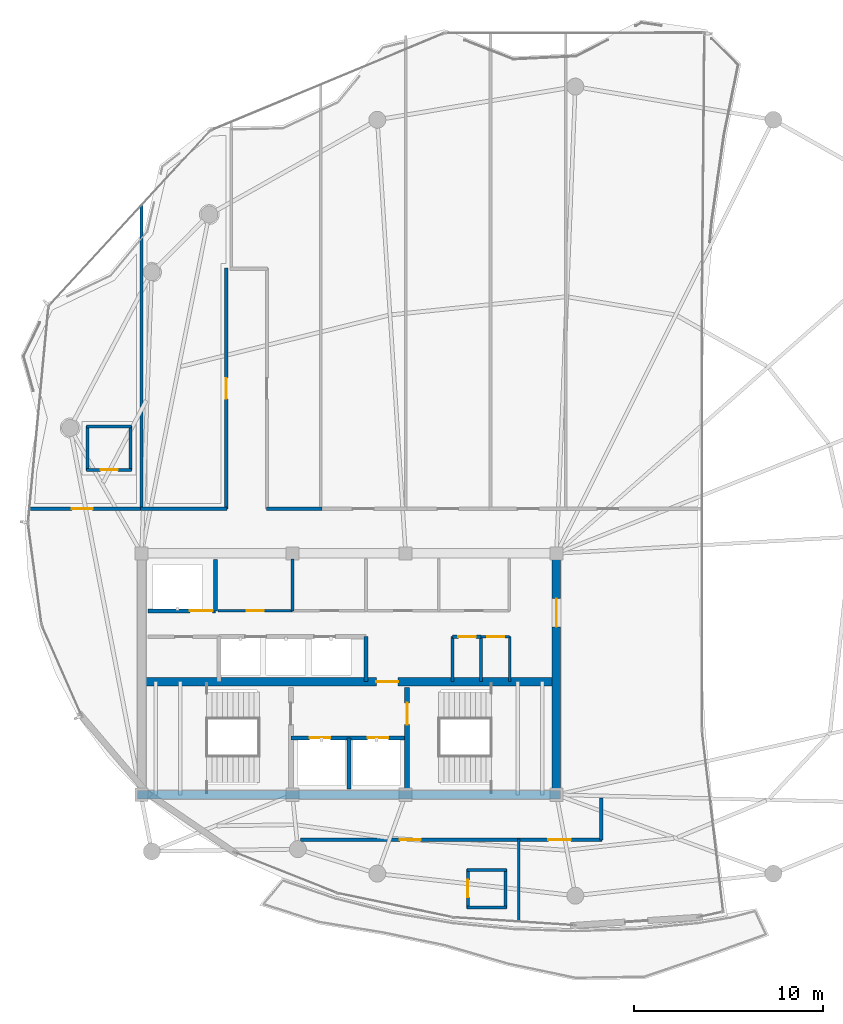
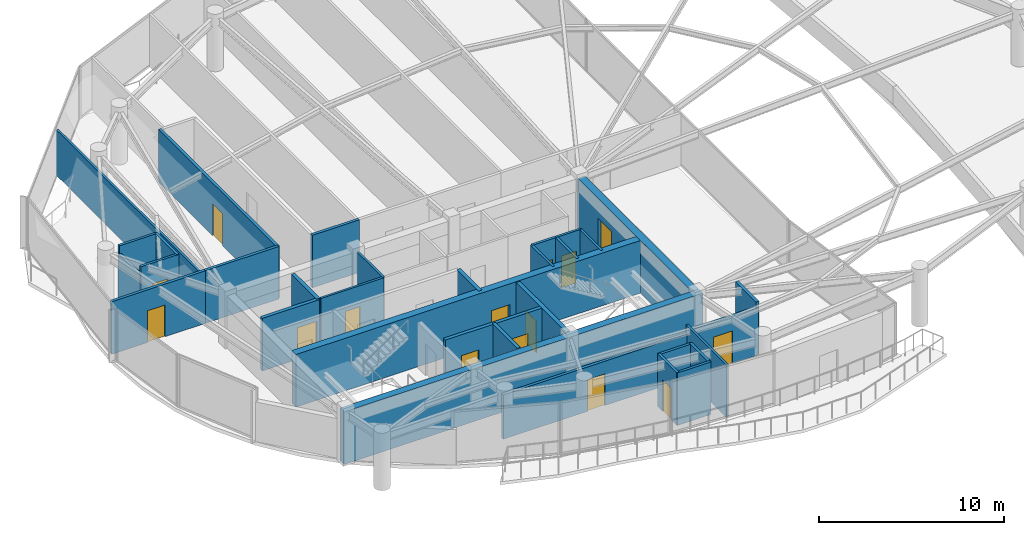
# One storey, part 18 of 22: 33 walls, 15 doors, 15 openings.
"""IFC4 building model written with IfcOpenShell, lengths in metres."""

from ifc_helpers import new_model, si_unit, direction, frame, frame_2d, origin, place, context, subcontext, project, spatial, rectangle, extrude, material, layer, layer_set, type_object, element, fill, save


model = new_model("IFC4")

# Units and contexts
model_context = context("Model", 3, precision=1e-05, world=origin(), true_north=direction((0.0, 1.0)))
body_context = subcontext(model_context, "Body", "Model", "MODEL_VIEW")
ifc_project = project(units=[si_unit("LENGTHUNIT", "METRE"), si_unit("AREAUNIT", "SQUARE_METRE"), si_unit("VOLUMEUNIT", "CUBIC_METRE"), si_unit("PLANEANGLEUNIT", "RADIAN"), si_unit("MASSUNIT", "GRAM", prefix="KILO")], contexts=[model_context])

# Site, building, storey
site_placement = place(None, origin())
site = spatial("IfcSite", under=ifc_project, at=site_placement, CompositionType="ELEMENT")
building_placement = place(site_placement, origin())
building = spatial("IfcBuilding", under=site, at=building_placement, Name="Kazevale Care Tower and Concert Hall", CompositionType="ELEMENT")
storey_placement = place(building_placement, frame((0.0, 0.0, 277.60009765625)))
storey = spatial("IfcBuildingStorey", under=building, at=storey_placement, Name="L73", CompositionType="ELEMENT", Elevation=277.60009765625)

# Wall, opening, door
ifc_material_1 = material(Name="Acoustic Gypsum on Steel Stud", Category="steel")
ifc_layer_1 = layer(ifc_material_1, 0.139892578125)
ifc_layer_set_1 = layer_set([ifc_layer_1], Name="Acoustic Gypsum on Steel Stud")
wall_type_1 = type_object("IfcWallType", Name="Acoustic Care & Suite Partition 140", PredefinedType="PARTITIONING", material=ifc_layer_set_1)
wall_1_placement = place(storey_placement, frame((26.050048828125, 33.35009765625, 0.0), z_axis=(0.0, 0.0, 1.0), x_axis=(1.0, 0.0, 0.0)))
wall_1 = element("IfcWall", 1, at=wall_1_placement, inside=storey, type_object=wall_type_1, Name="wall:L73:c_rpl1_s", PredefinedType="PARTITIONING", context=body_context, shape_type="SweptSolid", body=[
    extrude(rectangle(XDim=3.949951171875, YDim=0.139892578125, at=frame_2d((1.97509765625, 0.0))), origin(), (0.0, 0.0, 1.0), 3.47998046875),
])
opening_1_placement = place(wall_1_placement, frame((1.514892578125, 0.0, 0.0)))
opening_1 = element("IfcOpeningElement", 2, at=opening_1_placement, cuts=wall_1, Name="Opening ID-900", PredefinedType="OPENING", context=body_context, shape_type="SweptSolid", body=[
    extrude(rectangle(XDim=0.919921875, YDim=2.10009765625, at=frame_2d((0.4599609375, 1.050048828125))), frame((0.0, 0.079833984375, 0.0), z_axis=(0.0, -1.0, 0.0), x_axis=(1.0, 0.0, 0.0)), (0.0, 0.0, 1.0), 0.159912109375),
])
ifc_material_2 = material(Name="Oak Timber Fire Leaf", Category="wood")
door_type_1 = type_object("IfcDoorType", Name="Bathroom & Service Door 920x2100", OperationType="NOTDEFINED", PredefinedType="DOOR", material=ifc_material_2)
door_1_placement = place(opening_1_placement, origin())
door_1 = element("IfcDoor", 3, at=door_1_placement, inside=storey, type_object=door_type_1, Name="door:L73:d_rpl1", OperationType="SINGLE_SWING_LEFT", OverallHeight=2.10009765625, OverallWidth=0.919921875, PredefinedType="DOOR", context=body_context, shape_type="SweptSolid", body=[
    extrude(rectangle(XDim=0.919921875, YDim=2.10009765625, at=frame_2d((0.4599609375, 1.050048828125))), frame((0.0, 0.02490234375, 0.0), z_axis=(0.0, -1.0, 0.0), x_axis=(1.0, 0.0, 0.0)), (0.0, 0.0, 1.0), 0.050048828125),
])
fill(opening_1, door_1)

# Walls
wall_2_placement = place(storey_placement, frame((30.0, 33.35009765625, 0.0), z_axis=(0.0, 0.0, 1.0), x_axis=(0.0, 1.0, 0.0)))
element("IfcWall", 4, at=wall_2_placement, inside=storey, type_object=wall_type_1, Name="wall:L73:c_rpl_m", PredefinedType="PARTITIONING", context=body_context, shape_type="SweptSolid", body=[
    extrude(rectangle(XDim=2.75, YDim=0.139892578125, at=frame_2d((1.375, 0.0))), origin(), (0.0, 0.0, 1.0), 3.47998046875),
])
wall_3_placement = place(storey_placement, frame((41.52001953125, 29.6201171875, 0.0), z_axis=(0.0, 0.0, 1.0), x_axis=(0.0, 1.0, 0.0)))
element("IfcWall", 5, at=wall_3_placement, inside=storey, type_object=wall_type_1, Name="wall:L73:ka_ee", PredefinedType="PARTITIONING", context=body_context, shape_type="SweptSolid", body=[
    extrude(rectangle(XDim=2.35986328125, YDim=0.139892578125, at=frame_2d((1.179931640625, 0.0))), origin(), (0.0, 0.0, 1.0), 3.47998046875),
])

# Wall, opening, door
wall_4_placement = place(storey_placement, frame((40.0, 31.97998046875, 0.0), z_axis=(0.0, 0.0, 1.0), x_axis=(1.0, 0.0, 0.0)))
wall_4 = element("IfcWall", 6, at=wall_4_placement, inside=storey, type_object=wall_type_1, Name="wall:L73:ka_en2", PredefinedType="PARTITIONING", context=body_context, shape_type="SweptSolid", body=[
    extrude(rectangle(XDim=1.52001953125, YDim=0.139892578125, at=frame_2d((0.760009765625, 0.0))), origin(), (0.0, 0.0, 1.0), 3.47998046875),
])
opening_2_placement = place(wall_4_placement, frame((0.320068359375, 0.0, 0.0)))
opening_2 = element("IfcOpeningElement", 7, at=opening_2_placement, cuts=wall_4, Name="Opening ID-900", PredefinedType="OPENING", context=body_context, shape_type="SweptSolid", body=[
    extrude(rectangle(XDim=0.919921875, YDim=2.10009765625, at=frame_2d((0.4599609375, 1.050048828125))), frame((0.0, 0.079833984375, 0.0), z_axis=(0.0, -1.0, 0.0), x_axis=(1.0, 0.0, 0.0)), (0.0, 0.0, 1.0), 0.159912109375),
])
door_2_placement = place(opening_2_placement, origin())
door_2 = element("IfcDoor", 8, at=door_2_placement, inside=storey, type_object=door_type_1, Name="door:L73:d_kae2", OperationType="SINGLE_SWING_RIGHT", OverallHeight=2.10009765625, OverallWidth=0.919921875, PredefinedType="DOOR", context=body_context, shape_type="SweptSolid", body=[
    extrude(rectangle(XDim=0.919921875, YDim=2.10009765625, at=frame_2d((0.4599609375, 1.050048828125))), frame((0.0, 0.02490234375, 0.0), z_axis=(0.0, -1.0, 0.0), x_axis=(1.0, 0.0, 0.0)), (0.0, 0.0, 1.0), 0.050048828125),
])
fill(opening_2, door_2)

# Walls
wall_5_placement = place(storey_placement, frame((22.0, 54.853759765625, 0.0), z_axis=(0.0, 0.0, 1.0), x_axis=(0.0, -1.0, 0.0)))
element("IfcWall", 9, at=wall_5_placement, inside=storey, type_object=wall_type_1, Name="wall:L73:auto_014", PredefinedType="PARTITIONING", context=body_context, shape_type="SweptSolid", body=[
    extrude(rectangle(XDim=16.108642578125, YDim=0.139892578125, at=frame_2d((8.05419921875, 0.0))), origin(), (0.0, 0.0, 1.0), 3.010009765625),
])
wall_6_placement = place(storey_placement, frame((42.0, 21.2548828125, 0.0), z_axis=(0.0, 0.0, 1.0), x_axis=(0.0, -1.0, 0.0)))
element("IfcWall", 10, at=wall_6_placement, inside=storey, type_object=wall_type_1, Name="wall:L73:auto_020", PredefinedType="PARTITIONING", context=body_context, shape_type="SweptSolid", body=[
    extrude(rectangle(XDim=4.369384765625, YDim=0.139892578125, at=frame_2d((2.1845703125, 0.0))), origin(), (0.0, 0.0, 1.0), 3.47998046875),
])
ifc_material_3 = material(Name="Concrete C50", Category="concrete")
ifc_layer_2 = layer(ifc_material_3, 0.449951171875)
ifc_layer_set_2 = layer_set([ifc_layer_2], Name="Concrete C50")
wall_type_2 = type_object("IfcWallType", Name="Core Shear Wall 450 C50", PredefinedType="SHEAR", material=ifc_layer_set_2)
wall_7_placement = place(storey_placement, frame((21.77490234375, 23.60009765625, 0.0), z_axis=(0.0, 0.0, 1.0), x_axis=(1.0, 0.0, 0.0)))
element("IfcWall", 11, at=wall_7_placement, inside=storey, type_object=wall_type_2, Name="wall:L73:core:S", PredefinedType="SHEAR", context=body_context, shape_type="SweptSolid", body=[
    extrude(rectangle(XDim=22.4501953125, YDim=0.449951171875, at=frame_2d((11.22509765625, 0.0))), origin(), (0.0, 0.0, 1.0), 3.47998046875),
])

# Wall, opening, door
wall_8_placement = place(storey_placement, frame((44.0, 23.824951171875, 0.0), z_axis=(0.0, 0.0, 1.0), x_axis=(0.0, 1.0, 0.0)))
wall_8 = element("IfcWall", 12, at=wall_8_placement, inside=storey, type_object=wall_type_2, Name="wall:L73:core:E", PredefinedType="SHEAR", context=body_context, shape_type="SweptSolid", body=[
    extrude(rectangle(XDim=12.35009765625, YDim=0.449951171875, at=frame_2d((6.175048828125, 0.0))), origin(), (0.0, 0.0, 1.0), 3.47998046875),
])
opening_3_placement = place(wall_8_placement, frame((8.675048828125, 0.0, 0.0)))
opening_3 = element("IfcOpeningElement", 13, at=opening_3_placement, cuts=wall_8, Name="Opening FD-60D", PredefinedType="OPENING", context=body_context, shape_type="SweptSolid", body=[
    extrude(rectangle(XDim=1.5, YDim=2.14990234375, at=frame_2d((0.75, 1.074951171875))), frame((0.0, 0.23486328125, 0.0), z_axis=(0.0, -1.0, 0.0), x_axis=(1.0, 0.0, 0.0)), (0.0, 0.0, 1.0), 0.469970703125),
])
door_type_2 = type_object("IfcDoorType", Name="Double Lobby & Auditorium Fire Door 1500x2150", OperationType="NOTDEFINED", PredefinedType="DOOR", material=ifc_material_2)
door_3_placement = place(opening_3_placement, origin())
door_3 = element("IfcDoor", 14, at=door_3_placement, inside=storey, type_object=door_type_2, Name="door:L73:core_east_out", OperationType="DOUBLE_DOOR_SINGLE_SWING", OverallHeight=2.14990234375, OverallWidth=1.5, PredefinedType="DOOR", context=body_context, shape_type="SweptSolid", body=[
    extrude(rectangle(XDim=1.5, YDim=2.14990234375, at=frame_2d((0.75, 1.074951171875))), frame((0.0, 0.02490234375, 0.0), z_axis=(0.0, -1.0, 0.0), x_axis=(1.0, 0.0, 0.0)), (0.0, 0.0, 1.0), 0.050048828125),
])
fill(opening_3, door_3)

wall_9_placement = place(storey_placement, frame((22.22509765625, 29.60009765625, 0.0), z_axis=(0.0, 0.0, 1.0), x_axis=(1.0, 0.0, 0.0)))
wall_9 = element("IfcWall", 15, at=wall_9_placement, inside=storey, type_object=wall_type_2, Name="wall:L73:core:M", PredefinedType="SHEAR", context=body_context, shape_type="SweptSolid", body=[
    extrude(rectangle(XDim=21.5498046875, YDim=0.449951171875, at=frame_2d((10.77490234375, 0.0))), origin(), (0.0, 0.0, 1.0), 3.47998046875),
])
opening_4_placement = place(wall_9_placement, frame((12.22509765625, 0.0, 0.0)))
opening_4 = element("IfcOpeningElement", 16, at=opening_4_placement, cuts=wall_9, Name="Opening FD-90", PredefinedType="OPENING", context=body_context, shape_type="SweptSolid", body=[
    extrude(rectangle(XDim=1.14990234375, YDim=2.10009765625, at=frame_2d((0.574951171875, 1.050048828125))), frame((0.0, 0.23486328125, 0.0), z_axis=(0.0, -1.0, 0.0), x_axis=(1.0, 0.0, 0.0)), (0.0, 0.0, 1.0), 0.469970703125),
])
ifc_material_4 = material(Name="Steel ASTM A572 Gr 50", Category="steel")
door_type_3 = type_object("IfcDoorType", Name="Pressurized Stair & Lobby Fire Door 1150x2100", OperationType="NOTDEFINED", PredefinedType="DOOR", material=ifc_material_4)
door_4_placement = place(opening_4_placement, origin())
door_4 = element("IfcDoor", 17, at=door_4_placement, inside=storey, type_object=door_type_3, Name="door:L73:ff_to_pax", OperationType="SINGLE_SWING_LEFT", OverallHeight=2.10009765625, OverallWidth=1.14990234375, PredefinedType="DOOR", context=body_context, shape_type="SweptSolid", body=[
    extrude(rectangle(XDim=1.14990234375, YDim=2.10009765625, at=frame_2d((0.574951171875, 1.050048828125))), frame((0.0, 0.02490234375, 0.0), z_axis=(0.0, -1.0, 0.0), x_axis=(1.0, 0.0, 0.0)), (0.0, 0.0, 1.0), 0.050048828125),
])
fill(opening_4, door_4)

# Wall, openings, doors
ifc_material_5 = material(Name="Concrete C40", Category="concrete")
ifc_layer_3 = layer(ifc_material_5, 0.219970703125)
ifc_layer_set_3 = layer_set([ifc_layer_3], Name="Concrete C40")
wall_type_3 = type_object("IfcWallType", Name="Elevator Hoistway Shaft Wall 220", PredefinedType="SOLIDWALL", material=ifc_layer_set_3)
wall_10_placement = place(storey_placement, frame((29.919921875, 26.6201171875, 0.0), z_axis=(0.0, 0.0, 1.0), x_axis=(1.0, 0.0, 0.0)))
wall_10 = element("IfcWall", 18, at=wall_10_placement, inside=storey, type_object=wall_type_3, Name="wall:L73:c_ffl_n", PredefinedType="SOLIDWALL", context=body_context, shape_type="SweptSolid", body=[
    extrude(rectangle(XDim=6.16015625, YDim=0.219970703125, at=frame_2d((3.080078125, 0.0))), origin(), (0.0, 0.0, 1.0), 3.47998046875),
])
opening_5_placement = place(wall_10_placement, frame((0.989990234375, 0.0, 0.0)))
opening_5 = element("IfcOpeningElement", 19, at=opening_5_placement, cuts=wall_10, Name="Opening LD-FF", PredefinedType="OPENING", context=body_context, shape_type="SweptSolid", body=[
    extrude(rectangle(XDim=1.10009765625, YDim=2.10009765625, at=frame_2d((0.550048828125, 1.050048828125))), frame((0.0, 0.119873046875, 0.0), z_axis=(0.0, -1.0, 0.0), x_axis=(1.0, 0.0, 0.0)), (0.0, 0.0, 1.0), 0.239990234375),
])
opening_6_placement = place(wall_10_placement, frame((4.070068359375, 0.0, 0.0)))
opening_6 = element("IfcOpeningElement", 20, at=opening_6_placement, cuts=wall_10, Name="Opening LD-FF", PredefinedType="OPENING", context=body_context, shape_type="SweptSolid", body=[
    extrude(rectangle(XDim=1.10009765625, YDim=2.10009765625, at=frame_2d((0.550048828125, 1.050048828125))), frame((0.0, 0.119873046875, 0.0), z_axis=(0.0, -1.0, 0.0), x_axis=(1.0, 0.0, 0.0)), (0.0, 0.0, 1.0), 0.239990234375),
])
ifc_material_6 = material(Name="Stainless Steel 316", Category="steel")
door_type_4 = type_object("IfcDoorType", Name="Emergency Lift Sliding Landing Door 1100x2100", OperationType="NOTDEFINED", PredefinedType="DOOR", material=ifc_material_6)
door_5_placement = place(opening_5_placement, origin())
door_5 = element("IfcDoor", 21, at=door_5_placement, inside=storey, type_object=door_type_4, Name="door:L73:ld_ffl1", OperationType="SLIDING_TO_LEFT", OverallHeight=2.10009765625, OverallWidth=1.10009765625, PredefinedType="DOOR", context=body_context, shape_type="SweptSolid", body=[
    extrude(rectangle(XDim=1.10009765625, YDim=2.10009765625, at=frame_2d((0.550048828125, 1.050048828125))), frame((0.0, 0.02490234375, 0.0), z_axis=(0.0, -1.0, 0.0), x_axis=(1.0, 0.0, 0.0)), (0.0, 0.0, 1.0), 0.050048828125),
])
fill(opening_5, door_5)
door_6_placement = place(opening_6_placement, origin())
door_6 = element("IfcDoor", 22, at=door_6_placement, inside=storey, type_object=door_type_4, Name="door:L73:ld_ffl2", OperationType="SLIDING_TO_RIGHT", OverallHeight=2.10009765625, OverallWidth=1.10009765625, PredefinedType="DOOR", context=body_context, shape_type="SweptSolid", body=[
    extrude(rectangle(XDim=1.10009765625, YDim=2.10009765625, at=frame_2d((0.550048828125, 1.050048828125))), frame((0.0, 0.02490234375, 0.0), z_axis=(0.0, -1.0, 0.0), x_axis=(1.0, 0.0, 0.0)), (0.0, 0.0, 1.0), 0.050048828125),
])
fill(opening_6, door_6)

# Walls
wall_11_placement = place(storey_placement, frame((33.0, 23.89990234375, 0.0), z_axis=(0.0, 0.0, 1.0), x_axis=(0.0, 1.0, 0.0)))
element("IfcWall", 23, at=wall_11_placement, inside=storey, type_object=wall_type_3, Name="wall:L73:c_ffl_m", PredefinedType="SOLIDWALL", context=body_context, shape_type="SweptSolid", body=[
    extrude(rectangle(XDim=2.72021484375, YDim=0.219970703125, at=frame_2d((1.360107421875, 0.0))), origin(), (0.0, 0.0, 1.0), 3.47998046875),
])
wall_12_placement = place(storey_placement, frame((25.919921875, 33.35009765625, 0.0), z_axis=(0.0, 0.0, 1.0), x_axis=(0.0, 1.0, 0.0)))
element("IfcWall", 24, at=wall_12_placement, inside=storey, type_object=wall_type_3, Name="wall:L73:c_svl_e", PredefinedType="SOLIDWALL", context=body_context, shape_type="SweptSolid", body=[
    extrude(rectangle(XDim=2.72998046875, YDim=0.219970703125, at=frame_2d((1.364990234375, 0.0))), origin(), (0.0, 0.0, 1.0), 3.47998046875),
])

# Wall, opening, door
wall_13_placement = place(storey_placement, frame((22.35009765625, 33.35009765625, 0.0), z_axis=(0.0, 0.0, 1.0), x_axis=(1.0, 0.0, 0.0)))
wall_13 = element("IfcWall", 25, at=wall_13_placement, inside=storey, type_object=wall_type_3, Name="wall:L73:c_svl_s", PredefinedType="SOLIDWALL", context=body_context, shape_type="SweptSolid", body=[
    extrude(rectangle(XDim=3.56982421875, YDim=0.219970703125, at=frame_2d((1.784912109375, 0.0))), origin(), (0.0, 0.0, 1.0), 3.47998046875),
])
opening_7_placement = place(wall_13_placement, frame((2.212890625, 0.0, 0.0)))
opening_7 = element("IfcOpeningElement", 26, at=opening_7_placement, cuts=wall_13, Name="Opening LD-SV", PredefinedType="OPENING", context=body_context, shape_type="SweptSolid", body=[
    extrude(rectangle(XDim=1.199951171875, YDim=2.10009765625, at=frame_2d((0.60009765625, 1.050048828125))), frame((0.0, 0.119873046875, 0.0), z_axis=(0.0, -1.0, 0.0), x_axis=(1.0, 0.0, 0.0)), (0.0, 0.0, 1.0), 0.239990234375),
])
door_type_5 = type_object("IfcDoorType", Name="Service Lift Sliding Landing Door 1200x2100", OperationType="NOTDEFINED", PredefinedType="DOOR", material=ifc_material_6)
door_7_placement = place(opening_7_placement, origin())
door_7 = element("IfcDoor", 27, at=door_7_placement, inside=storey, type_object=door_type_5, Name="door:L73:ld_svl1", OperationType="SLIDING_TO_LEFT", OverallHeight=2.10009765625, OverallWidth=1.199951171875, PredefinedType="DOOR", context=body_context, shape_type="SweptSolid", body=[
    extrude(rectangle(XDim=1.199951171875, YDim=2.10009765625, at=frame_2d((0.60009765625, 1.050048828125))), frame((0.0, 0.02490234375, 0.0), z_axis=(0.0, -1.0, 0.0), x_axis=(1.0, 0.0, 0.0)), (0.0, 0.0, 1.0), 0.050048828125),
])
fill(opening_7, door_7)

# Wall
wall_14_placement = place(storey_placement, frame((33.89990234375, 29.6201171875, 0.0), z_axis=(0.0, 0.0, 1.0), x_axis=(0.0, 1.0, 0.0)))
element("IfcWall", 28, at=wall_14_placement, inside=storey, type_object=wall_type_3, Name="wall:L73:c_ph_e", PredefinedType="SOLIDWALL", context=body_context, shape_type="SweptSolid", body=[
    extrude(rectangle(XDim=2.35986328125, YDim=0.219970703125, at=frame_2d((1.179931640625, 0.0))), origin(), (0.0, 0.0, 1.0), 3.47998046875),
])

# Wall, opening, door
ifc_material_7 = material(Name="Concrete C40 and Acoustic Gypsum", Category="concrete")
ifc_layer_4 = layer(ifc_material_7, 0.179931640625)
ifc_layer_set_4 = layer_set([ifc_layer_4], Name="Concrete C40 and Acoustic Gypsum")
wall_type_4 = type_object("IfcWallType", Name="Fire-Rated Corridor & Party Wall 180", PredefinedType="PARTITIONING", material=ifc_layer_set_4)
wall_15_placement = place(storey_placement, frame((16.0634765625, 38.77490234375, 0.0), z_axis=(0.0, 0.0, 1.0), x_axis=(1.0, 0.0, 0.0)))
wall_15 = element("IfcWall", 29, at=wall_15_placement, inside=storey, type_object=wall_type_4, Name="wall:L73:auto_001", PredefinedType="PARTITIONING", context=body_context, shape_type="SweptSolid", body=[
    extrude(rectangle(XDim=6.00146484375, YDim=0.179931640625, at=frame_2d((3.000732421875, 0.0))), origin(), (0.0, 0.0, 1.0), 3.47998046875),
])
opening_8_placement = place(wall_15_placement, frame((2.2451171875, 0.0, 0.0)))
opening_8 = element("IfcOpeningElement", 30, at=opening_8_placement, cuts=wall_15, Name="Opening ID-1100", PredefinedType="OPENING", context=body_context, shape_type="SweptSolid", body=[
    extrude(rectangle(XDim=1.10009765625, YDim=2.10009765625, at=frame_2d((0.550048828125, 1.050048828125))), frame((0.0, 0.099853515625, 0.0), z_axis=(0.0, -1.0, 0.0), x_axis=(1.0, 0.0, 0.0)), (0.0, 0.0, 1.0), 0.199951171875),
])
door_type_6 = type_object("IfcDoorType", Name="Care Bedroom Accessible Door 1100x2100", OperationType="NOTDEFINED", PredefinedType="DOOR", material=ifc_material_2)
door_8_placement = place(opening_8_placement, origin())
door_8 = element("IfcDoor", 31, at=door_8_placement, inside=storey, type_object=door_type_6, Name="door:L73:ad_001", OperationType="SINGLE_SWING_LEFT", OverallHeight=2.10009765625, OverallWidth=1.10009765625, PredefinedType="DOOR", context=body_context, shape_type="SweptSolid", body=[
    extrude(rectangle(XDim=1.10009765625, YDim=2.10009765625, at=frame_2d((0.550048828125, 1.050048828125))), frame((0.0, 0.02490234375, 0.0), z_axis=(0.0, -1.0, 0.0), x_axis=(1.0, 0.0, 0.0)), (0.0, 0.0, 1.0), 0.050048828125),
])
fill(opening_8, door_8)

wall_16_placement = place(storey_placement, frame((26.5, 38.7451171875, 0.0), z_axis=(0.0, 0.0, 1.0), x_axis=(0.0, 1.0, 0.0)))
wall_16 = element("IfcWall", 32, at=wall_16_placement, inside=storey, type_object=wall_type_4, Name="wall:L73:auto_002", PredefinedType="PARTITIONING", context=body_context, shape_type="SweptSolid", body=[
    extrude(rectangle(XDim=12.784912109375, YDim=0.179931640625, at=frame_2d((6.392578125, 0.0))), origin(), (0.0, 0.0, 1.0), 3.47998046875),
])
opening_9_placement = place(wall_16_placement, frame((5.843017578125, 0.0, 0.0)))
opening_9 = element("IfcOpeningElement", 33, at=opening_9_placement, cuts=wall_16, Name="Opening ID-1100", PredefinedType="OPENING", context=body_context, shape_type="SweptSolid", body=[
    extrude(rectangle(XDim=1.10009765625, YDim=2.10009765625, at=frame_2d((0.550048828125, 1.050048828125))), frame((0.0, 0.099853515625, 0.0), z_axis=(0.0, -1.0, 0.0), x_axis=(1.0, 0.0, 0.0)), (0.0, 0.0, 1.0), 0.199951171875),
])
door_9_placement = place(opening_9_placement, origin())
door_9 = element("IfcDoor", 34, at=door_9_placement, inside=storey, type_object=door_type_6, Name="door:L73:ad_002", OperationType="SINGLE_SWING_LEFT", OverallHeight=2.10009765625, OverallWidth=1.10009765625, PredefinedType="DOOR", context=body_context, shape_type="SweptSolid", body=[
    extrude(rectangle(XDim=1.10009765625, YDim=2.10009765625, at=frame_2d((0.550048828125, 1.050048828125))), frame((0.0, 0.02490234375, 0.0), z_axis=(0.0, -1.0, 0.0), x_axis=(1.0, 0.0, 0.0)), (0.0, 0.0, 1.0), 0.050048828125),
])
fill(opening_9, door_9)

# Walls
wall_17_placement = place(storey_placement, frame((21.93505859375, 38.77490234375, 0.0), z_axis=(0.0, 0.0, 1.0), x_axis=(1.0, 0.0, 0.0)))
element("IfcWall", 35, at=wall_17_placement, inside=storey, type_object=wall_type_4, Name="wall:L73:auto_003", PredefinedType="PARTITIONING", context=body_context, shape_type="SweptSolid", body=[
    extrude(rectangle(XDim=4.594970703125, YDim=0.179931640625, at=frame_2d((2.29736328125, 0.0))), origin(), (0.0, 0.0, 1.0), 3.47998046875),
])
wall_18_placement = place(storey_placement, frame((28.6201171875, 38.77490234375, 0.0), z_axis=(0.0, 0.0, 1.0), x_axis=(1.0, 0.0, 0.0)))
element("IfcWall", 36, at=wall_18_placement, inside=storey, type_object=wall_type_4, Name="wall:L73:auto_005", PredefinedType="PARTITIONING", context=body_context, shape_type="SweptSolid", body=[
    extrude(rectangle(XDim=2.94482421875, YDim=0.179931640625, at=frame_2d((1.472412109375, 0.0))), origin(), (0.0, 0.0, 1.0), 3.47998046875),
])

# Wall, opening, door
wall_19_placement = place(storey_placement, frame((42.06494140625, 21.22509765625, 0.0), z_axis=(0.0, 0.0, 1.0), x_axis=(-1.0, 0.0, 0.0)))
wall_19 = element("IfcWall", 37, at=wall_19_placement, inside=storey, type_object=wall_type_4, Name="wall:L73:auto_011", PredefinedType="PARTITIONING", context=body_context, shape_type="SweptSolid", body=[
    extrude(rectangle(XDim=11.6298828125, YDim=0.179931640625, at=frame_2d((5.81494140625, 0.0))), origin(), (0.0, 0.0, 1.0), 2.93701171875),
])
opening_10_placement = place(wall_19_placement, frame((5.264892578125, 0.0, 0.0)))
opening_10 = element("IfcOpeningElement", 38, at=opening_10_placement, cuts=wall_19, Name="Opening ID-1100", PredefinedType="OPENING", context=body_context, shape_type="SweptSolid", body=[
    extrude(rectangle(XDim=1.10009765625, YDim=2.10009765625, at=frame_2d((0.550048828125, 1.050048828125))), frame((0.0, 0.099853515625, 0.0), z_axis=(0.0, -1.0, 0.0), x_axis=(1.0, 0.0, 0.0)), (0.0, 0.0, 1.0), 0.199951171875),
])
door_10_placement = place(opening_10_placement, origin())
door_10 = element("IfcDoor", 39, at=door_10_placement, inside=storey, type_object=door_type_6, Name="door:L73:ad_011", OperationType="SINGLE_SWING_LEFT", OverallHeight=2.10009765625, OverallWidth=1.10009765625, PredefinedType="DOOR", context=body_context, shape_type="SweptSolid", body=[
    extrude(rectangle(XDim=1.10009765625, YDim=2.10009765625, at=frame_2d((0.550048828125, 1.050048828125))), frame((0.0, 0.02490234375, 0.0), z_axis=(0.0, -1.0, 0.0), x_axis=(1.0, 0.0, 0.0)), (0.0, 0.0, 1.0), 0.050048828125),
])
fill(opening_10, door_10)

wall_20_placement = place(storey_placement, frame((46.405029296875, 21.22509765625, 0.0), z_axis=(0.0, 0.0, 1.0), x_axis=(-1.0, 0.0, 0.0)))
wall_20 = element("IfcWall", 40, at=wall_20_placement, inside=storey, type_object=wall_type_4, Name="wall:L73:auto_012", PredefinedType="PARTITIONING", context=body_context, shape_type="SweptSolid", body=[
    extrude(rectangle(XDim=4.469970703125, YDim=0.179931640625, at=frame_2d((2.23486328125, 0.0))), origin(), (0.0, 0.0, 1.0), 3.115966796875),
])
opening_11_placement = place(wall_20_placement, frame((1.635009765625, 0.0, 0.0)))
opening_11 = element("IfcOpeningElement", 41, at=opening_11_placement, cuts=wall_20, Name="Opening ID-1200", PredefinedType="OPENING", context=body_context, shape_type="SweptSolid", body=[
    extrude(rectangle(XDim=1.199951171875, YDim=2.14990234375, at=frame_2d((0.60009765625, 1.074951171875))), frame((0.0, 0.099853515625, 0.0), z_axis=(0.0, -1.0, 0.0), x_axis=(1.0, 0.0, 0.0)), (0.0, 0.0, 1.0), 0.199951171875),
])
door_type_7 = type_object("IfcDoorType", Name="Clinical & Therapy Door 1200x2150", OperationType="NOTDEFINED", PredefinedType="DOOR", material=ifc_material_2)
door_11_placement = place(opening_11_placement, origin())
door_11 = element("IfcDoor", 42, at=door_11_placement, inside=storey, type_object=door_type_7, Name="door:L73:ad_012", OperationType="SINGLE_SWING_LEFT", OverallHeight=2.14990234375, OverallWidth=1.199951171875, PredefinedType="DOOR", context=body_context, shape_type="SweptSolid", body=[
    extrude(rectangle(XDim=1.199951171875, YDim=2.14990234375, at=frame_2d((0.60009765625, 1.074951171875))), frame((0.0, 0.02490234375, 0.0), z_axis=(0.0, -1.0, 0.0), x_axis=(1.0, 0.0, 0.0)), (0.0, 0.0, 1.0), 0.050048828125),
])
fill(opening_11, door_11)

# Walls
wall_21_placement = place(storey_placement, frame((46.375, 23.43994140625, 0.0), z_axis=(0.0, 0.0, 1.0), x_axis=(0.0, -1.0, 0.0)))
element("IfcWall", 43, at=wall_21_placement, inside=storey, type_object=wall_type_4, Name="wall:L73:auto_013", PredefinedType="PARTITIONING", context=body_context, shape_type="SweptSolid", body=[
    extrude(rectangle(XDim=2.244873046875, YDim=0.179931640625, at=frame_2d((1.12255859375, 0.0))), origin(), (0.0, 0.0, 1.0), 3.47998046875),
])
ifc_layer_5 = layer(ifc_material_1, 0.159912109375)
ifc_layer_set_5 = layer_set([ifc_layer_5], Name="Acoustic Gypsum on Steel Stud")
wall_type_5 = type_object("IfcWallType", Name="Moisture-Resistant Bathroom Plumbing Wall 160", PredefinedType="PLUMBINGWALL", material=ifc_layer_set_5)
for number, where, z_axis, x_axis, name in (
    (44, (38.47998046875, 29.6201171875, 0.0), (0.0, 0.0, 1.0), (0.0, 1.0, 0.0), "wall:L73:ka_ew"),
    (45, (40.0, 29.6201171875, 0.0), (0.0, 0.0, 1.0), (0.0, 1.0, 0.0), "wall:L73:ka_em"),
):
    element("IfcWall", number, at=place(storey_placement, frame(where, z_axis=z_axis, x_axis=x_axis)), inside=storey, type_object=wall_type_5, Name=name, PredefinedType="PLUMBINGWALL", context=body_context, shape_type="SweptSolid", body=[
        extrude(rectangle(XDim=2.35986328125, YDim=0.159912109375, at=frame_2d((1.179931640625, 0.0))), origin(), (0.0, 0.0, 1.0), 3.47998046875),
    ])

# Wall, opening, door
wall_22_placement = place(storey_placement, frame((38.47998046875, 31.97998046875, 0.0), z_axis=(0.0, 0.0, 1.0), x_axis=(1.0, 0.0, 0.0)))
wall_22 = element("IfcWall", 46, at=wall_22_placement, inside=storey, type_object=wall_type_5, Name="wall:L73:ka_en1", PredefinedType="PLUMBINGWALL", context=body_context, shape_type="SweptSolid", body=[
    extrude(rectangle(XDim=1.52001953125, YDim=0.159912109375, at=frame_2d((0.760009765625, 0.0))), origin(), (0.0, 0.0, 1.0), 3.47998046875),
])
opening_12_placement = place(wall_22_placement, frame((0.320068359375, 0.0, 0.0)))
opening_12 = element("IfcOpeningElement", 47, at=opening_12_placement, cuts=wall_22, Name="Opening ID-900", PredefinedType="OPENING", context=body_context, shape_type="SweptSolid", body=[
    extrude(rectangle(XDim=0.919921875, YDim=2.10009765625, at=frame_2d((0.4599609375, 1.050048828125))), frame((0.0, 0.08984375, 0.0), z_axis=(0.0, -1.0, 0.0), x_axis=(1.0, 0.0, 0.0)), (0.0, 0.0, 1.0), 0.179931640625),
])
door_12_placement = place(opening_12_placement, origin())
door_12 = element("IfcDoor", 48, at=door_12_placement, inside=storey, type_object=door_type_1, Name="door:L73:d_kae1", OperationType="SINGLE_SWING_LEFT", OverallHeight=2.10009765625, OverallWidth=0.919921875, PredefinedType="DOOR", context=body_context, shape_type="SweptSolid", body=[
    extrude(rectangle(XDim=0.919921875, YDim=2.10009765625, at=frame_2d((0.4599609375, 1.050048828125))), frame((0.0, 0.02490234375, 0.0), z_axis=(0.0, -1.0, 0.0), x_axis=(1.0, 0.0, 0.0)), (0.0, 0.0, 1.0), 0.050048828125),
])
fill(opening_12, door_12)

wall_23_placement = place(storey_placement, frame((19.0849609375, 40.824951171875, 0.0), z_axis=(0.0, 0.0, 1.0), x_axis=(1.0, 0.0, 0.0)))
wall_23 = element("IfcWall", 49, at=wall_23_placement, inside=storey, type_object=wall_type_5, Name="wall:L73:nb1_ens_ws", PredefinedType="PLUMBINGWALL", context=body_context, shape_type="SweptSolid", body=[
    extrude(rectangle(XDim=2.380126953125, YDim=0.159912109375, at=frame_2d((1.18994140625, 0.0))), origin(), (0.0, 0.0, 1.0), 3.47998046875),
])
opening_13_placement = place(wall_23_placement, frame((0.739990234375, 0.0, 0.0)))
opening_13 = element("IfcOpeningElement", 50, at=opening_13_placement, cuts=wall_23, Name="Opening ID-900", PredefinedType="OPENING", context=body_context, shape_type="SweptSolid", body=[
    extrude(rectangle(XDim=0.919921875, YDim=2.10009765625, at=frame_2d((0.4599609375, 1.050048828125))), frame((0.0, 0.08984375, 0.0), z_axis=(0.0, -1.0, 0.0), x_axis=(1.0, 0.0, 0.0)), (0.0, 0.0, 1.0), 0.179931640625),
])
door_13_placement = place(opening_13_placement, origin())
door_13 = element("IfcDoor", 51, at=door_13_placement, inside=storey, type_object=door_type_1, Name="door:L73:nb1_ens_d", OperationType="SINGLE_SWING_RIGHT", OverallHeight=2.10009765625, OverallWidth=0.919921875, PredefinedType="DOOR", context=body_context, shape_type="SweptSolid", body=[
    extrude(rectangle(XDim=0.919921875, YDim=2.10009765625, at=frame_2d((0.4599609375, 1.050048828125))), frame((0.0, 0.02490234375, 0.0), z_axis=(0.0, -1.0, 0.0), x_axis=(1.0, 0.0, 0.0)), (0.0, 0.0, 1.0), 0.050048828125),
])
fill(opening_13, door_13)

# Walls
wall_24_placement = place(storey_placement, frame((19.0849609375, 43.125, 0.0), z_axis=(0.0, 0.0, 1.0), x_axis=(1.0, 0.0, 0.0)))
element("IfcWall", 52, at=wall_24_placement, inside=storey, type_object=wall_type_5, Name="wall:L73:nb1_ens_wn", PredefinedType="PLUMBINGWALL", context=body_context, shape_type="SweptSolid", body=[
    extrude(rectangle(XDim=2.380126953125, YDim=0.159912109375, at=frame_2d((1.18994140625, 0.0))), origin(), (0.0, 0.0, 1.0), 3.47998046875),
])
wall_25_placement = place(storey_placement, frame((19.125, 40.784912109375, 0.0), z_axis=(0.0, 0.0, 1.0), x_axis=(0.0, 1.0, 0.0)))
element("IfcWall", 53, at=wall_25_placement, inside=storey, type_object=wall_type_5, Name="wall:L73:nb1_ens_ww", PredefinedType="PLUMBINGWALL", context=body_context, shape_type="SweptSolid", body=[
    extrude(rectangle(XDim=2.380126953125, YDim=0.159912109375, at=frame_2d((1.18994140625, 0.0))), origin(), (0.0, 0.0, 1.0), 2.93701171875),
])
wall_26_placement = place(storey_placement, frame((21.425048828125, 40.784912109375, 0.0), z_axis=(0.0, 0.0, 1.0), x_axis=(0.0, 1.0, 0.0)))
element("IfcWall", 54, at=wall_26_placement, inside=storey, type_object=wall_type_5, Name="wall:L73:nb1_ens_we", PredefinedType="PLUMBINGWALL", context=body_context, shape_type="SweptSolid", body=[
    extrude(rectangle(XDim=2.380126953125, YDim=0.159912109375, at=frame_2d((1.18994140625, 0.0))), origin(), (0.0, 0.0, 1.0), 3.47998046875),
])
for number, where, z_axis, x_axis, name in (
    (55, (39.260009765625, 17.616943359375, 0.0), (0.0, 0.0, 1.0), (1.0, 0.0, 0.0), "wall:L73:sb2_ens_ws"),
    (56, (39.260009765625, 19.616943359375, 0.0), (0.0, 0.0, 1.0), (1.0, 0.0, 0.0), "wall:L73:sb2_ens_wn"),
):
    element("IfcWall", number, at=place(storey_placement, frame(where, z_axis=z_axis, x_axis=x_axis)), inside=storey, type_object=wall_type_5, Name=name, PredefinedType="PLUMBINGWALL", context=body_context, shape_type="SweptSolid", body=[
        extrude(rectangle(XDim=2.080078125, YDim=0.159912109375, at=frame_2d((1.0400390625, 0.0))), origin(), (0.0, 0.0, 1.0), 3.47998046875),
    ])

# Wall, opening, door
wall_27_placement = place(storey_placement, frame((39.300048828125, 17.576904296875, 0.0), z_axis=(0.0, 0.0, 1.0), x_axis=(0.0, 1.0, 0.0)))
wall_27 = element("IfcWall", 57, at=wall_27_placement, inside=storey, type_object=wall_type_5, Name="wall:L73:sb2_ens_ww", PredefinedType="PLUMBINGWALL", context=body_context, shape_type="SweptSolid", body=[
    extrude(rectangle(XDim=2.080078125, YDim=0.159912109375, at=frame_2d((1.0400390625, 0.0))), origin(), (0.0, 0.0, 1.0), 3.47998046875),
])
opening_14_placement = place(wall_27_placement, frame((0.590087890625, 0.0, 0.0)))
opening_14 = element("IfcOpeningElement", 58, at=opening_14_placement, cuts=wall_27, Name="Opening ID-900", PredefinedType="OPENING", context=body_context, shape_type="SweptSolid", body=[
    extrude(rectangle(XDim=0.919921875, YDim=2.10009765625, at=frame_2d((0.4599609375, 1.050048828125))), frame((0.0, 0.08984375, 0.0), z_axis=(0.0, -1.0, 0.0), x_axis=(1.0, 0.0, 0.0)), (0.0, 0.0, 1.0), 0.179931640625),
])
door_14_placement = place(opening_14_placement, origin())
door_14 = element("IfcDoor", 59, at=door_14_placement, inside=storey, type_object=door_type_1, Name="door:L73:sb2_ens_d", OperationType="SINGLE_SWING_RIGHT", OverallHeight=2.10009765625, OverallWidth=0.919921875, PredefinedType="DOOR", context=body_context, shape_type="SweptSolid", body=[
    extrude(rectangle(XDim=0.919921875, YDim=2.10009765625, at=frame_2d((0.4599609375, 1.050048828125))), frame((0.0, 0.02490234375, 0.0), z_axis=(0.0, -1.0, 0.0), x_axis=(1.0, 0.0, 0.0)), (0.0, 0.0, 1.0), 0.050048828125),
])
fill(opening_14, door_14)

# Wall
wall_28_placement = place(storey_placement, frame((41.300048828125, 17.576904296875, 0.0), z_axis=(0.0, 0.0, 1.0), x_axis=(0.0, 1.0, 0.0)))
element("IfcWall", 60, at=wall_28_placement, inside=storey, type_object=wall_type_5, Name="wall:L73:sb2_ens_we", PredefinedType="PLUMBINGWALL", context=body_context, shape_type="SweptSolid", body=[
    extrude(rectangle(XDim=2.080078125, YDim=0.159912109375, at=frame_2d((1.0400390625, 0.0))), origin(), (0.0, 0.0, 1.0), 3.47998046875),
])

# Wall, opening, door
ifc_layer_6 = layer(ifc_material_5, 0.25)
ifc_layer_set_6 = layer_set([ifc_layer_6], Name="Concrete C40")
wall_type_6 = type_object("IfcWallType", Name="Pressurized Stair Shaft Wall 250", PredefinedType="SOLIDWALL", material=ifc_layer_set_6)
wall_29_placement = place(storey_placement, frame((36.080078125, 23.89990234375, 0.0), z_axis=(0.0, 0.0, 1.0), x_axis=(0.0, 1.0, 0.0)))
wall_29 = element("IfcWall", 61, at=wall_29_placement, inside=storey, type_object=wall_type_6, Name="wall:L73:c_st2_w", PredefinedType="SOLIDWALL", context=body_context, shape_type="SweptSolid", body=[
    extrude(rectangle(XDim=5.400146484375, YDim=0.25, at=frame_2d((2.7001953125, 0.0))), origin(), (0.0, 0.0, 1.0), 3.47998046875),
])
opening_15_placement = place(wall_29_placement, frame((3.4208984375, 0.0, 0.0)))
opening_15 = element("IfcOpeningElement", 62, at=opening_15_placement, cuts=wall_29, Name="Opening FD-90", PredefinedType="OPENING", context=body_context, shape_type="SweptSolid", body=[
    extrude(rectangle(XDim=1.14990234375, YDim=2.10009765625, at=frame_2d((0.574951171875, 1.050048828125))), frame((0.0, 0.135009765625, 0.0), z_axis=(0.0, -1.0, 0.0), x_axis=(1.0, 0.0, 0.0)), (0.0, 0.0, 1.0), 0.27001953125),
])
door_15_placement = place(opening_15_placement, origin())
door_15 = element("IfcDoor", 63, at=door_15_placement, inside=storey, type_object=door_type_3, Name="door:L73:st2", OperationType="SINGLE_SWING_LEFT", OverallHeight=2.10009765625, OverallWidth=1.14990234375, PredefinedType="DOOR", context=body_context, shape_type="SweptSolid", body=[
    extrude(rectangle(XDim=1.14990234375, YDim=2.10009765625, at=frame_2d((0.574951171875, 1.050048828125))), frame((0.0, 0.02490234375, 0.0), z_axis=(0.0, -1.0, 0.0), x_axis=(1.0, 0.0, 0.0)), (0.0, 0.0, 1.0), 0.050048828125),
])
fill(opening_15, door_15)

save(model, "model.ifc")
